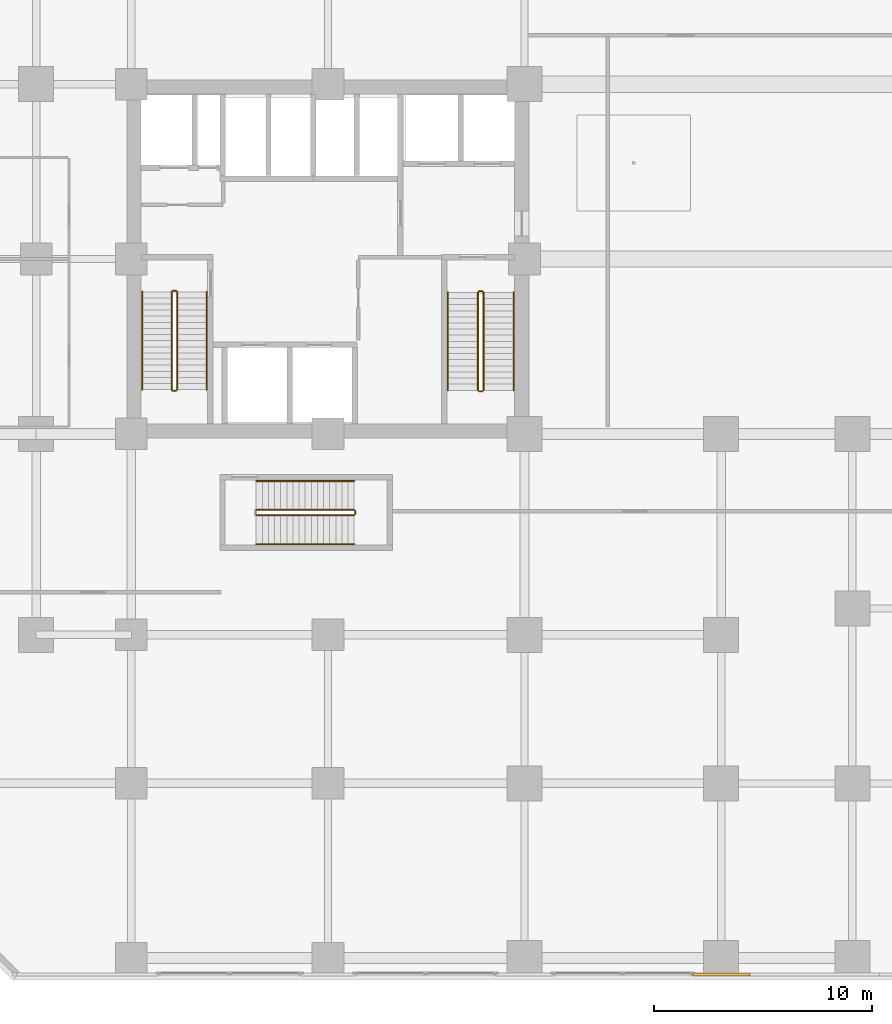
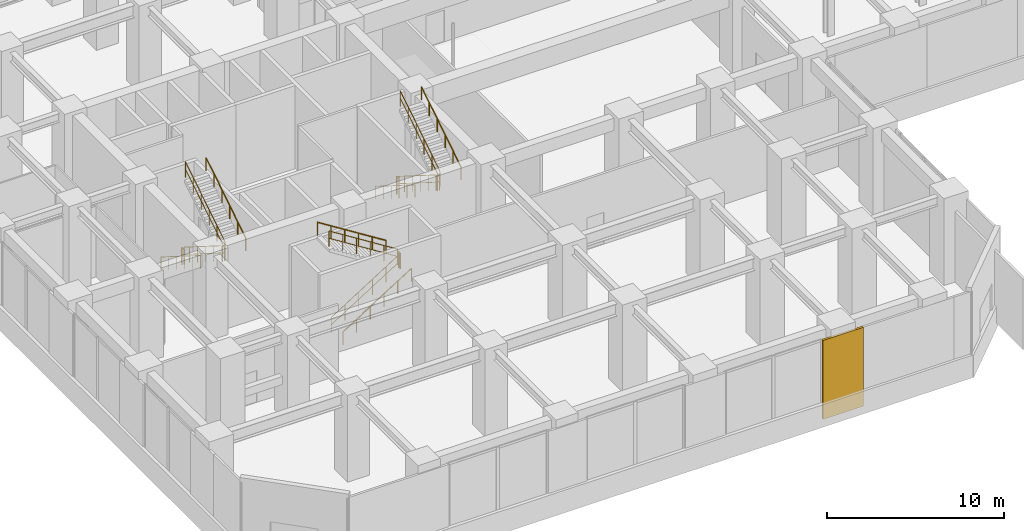
# One storey, part 30 of 34: 17 railings, 1 covering.
"""IFC4 building model written with IfcOpenShell, lengths in metres."""

import ifcopenshell
import ifcopenshell.guid

model = None  # the IFC model being written
_history = None  # IfcOwnerHistory: only IFC2X3 demands one
_inside = {}  # id of a spatial element -> (the spatial element, [elements in it])
_under = {}  # id of a project, library or spatial element -> (it, [spatial elements below it])
_declared = {}  # id of a project -> (the project, [libraries it declares])
_typed = {}  # id of a type object -> (the type object, [elements of that type])
_made_of = {}  # id of a material, layer set ... -> (it, [elements and type objects made of it])


def new_model(schema):
    """Start an empty IFC model of exactly this schema.

    Asked for "IFC4X3", IfcOpenShell would pick the latest addendum, in which some entities
    have other attributes; the version numbers below select the first issue.
    IFC2X3 requires an IfcOwnerHistory on every rooted entity: one is made here for all.
    """
    global model, _history
    if schema == "IFC4X3":
        model = ifcopenshell.file(schema_version=(4, 3, 0, 0))
    else:
        model = ifcopenshell.file(schema=schema)
    _inside.clear()
    _under.clear()
    _declared.clear()
    _typed.clear()
    _made_of.clear()
    _history = None
    if model.schema == "IFC2X3":
        org = make("IfcOrganization", Name="unknown")
        user = make(
            "IfcPersonAndOrganization",
            ThePerson=make("IfcPerson", FamilyName="unknown"),
            TheOrganization=org,
        )
        app = make(
            "IfcApplication",
            ApplicationDeveloper=org,
            Version="unknown",
            ApplicationFullName="unknown",
            ApplicationIdentifier="unknown",
        )
        _history = make(
            "IfcOwnerHistory",
            OwningUser=user,
            OwningApplication=app,
            ChangeAction="ADDED",
            CreationDate=0,
        )
    return model


def make(cls, **values):
    """One entity of the class cls with the attributes given. An attribute that is None is left unset."""
    return model.create_entity(
        cls, **{name: value for name, value in values.items() if value is not None}
    )


def rooted(cls, **values):
    """An entity with a GlobalId (a new one), such as an element, a storey or a relation."""
    return make(cls, GlobalId=ifcopenshell.guid.new(), OwnerHistory=_history, **values)


def si_unit(unit_type, name, prefix=None):
    """IfcSIUnit, for example si_unit("LENGTHUNIT", "METRE", prefix="MILLI")."""
    return make("IfcSIUnit", UnitType=unit_type, Prefix=prefix, Name=name)


def assignment(units):
    """IfcUnitAssignment: the units of a project."""
    return None if units is None else make("IfcUnitAssignment", Units=units)


def point(xyz):
    """IfcCartesianPoint."""
    return None if xyz is None else make("IfcCartesianPoint", Coordinates=xyz)


def direction(xyz):
    """IfcDirection."""
    return None if xyz is None else make("IfcDirection", DirectionRatios=xyz)


def frame(location, z_axis=None, x_axis=None):
    """IfcAxis2Placement3D, a coordinate frame: its origin and axes. An axis left out is left unset."""
    return make(
        "IfcAxis2Placement3D",
        Location=point(location),
        Axis=direction(z_axis),
        RefDirection=direction(x_axis),
    )


def frame_2d(location, x_axis=None):
    """IfcAxis2Placement2D, a coordinate frame in the plane: its origin and x axis."""
    return make(
        "IfcAxis2Placement2D", Location=point(location), RefDirection=direction(x_axis)
    )


def origin():
    """The frame at (0, 0, 0) with its axes left unset."""
    return frame((0.0, 0.0, 0.0))


def origin_2d():
    """The frame at (0, 0) in the plane with its x axis left unset."""
    return frame_2d((0.0, 0.0))


def place(relative_to, where):
    """IfcLocalPlacement: puts the frame where relative to a parent placement (None: the world)."""
    return make(
        "IfcLocalPlacement", PlacementRelTo=relative_to, RelativePlacement=where
    )


def context(
    kind, dimensions, precision=None, world=None, true_north=None, identifier=None
):
    """IfcGeometricRepresentationContext, for example the 3D "Model" context."""
    return make(
        "IfcGeometricRepresentationContext",
        ContextIdentifier=identifier,
        ContextType=kind,
        CoordinateSpaceDimension=dimensions,
        Precision=precision,
        WorldCoordinateSystem=world,
        TrueNorth=true_north,
    )


def subcontext(parent, identifier, kind, view, scale=None):
    """IfcGeometricRepresentationSubContext, for example "Body" below "Model"."""
    return make(
        "IfcGeometricRepresentationSubContext",
        ContextIdentifier=identifier,
        ContextType=kind,
        ParentContext=parent,
        TargetScale=scale,
        TargetView=view,
    )


def project(units=None, contexts=None):
    """IfcProject with its units and contexts."""
    return rooted(
        "IfcProject",
        Name="project",
        RepresentationContexts=contexts,
        UnitsInContext=assignment(units),
    )


def spatial(cls, under=None, at=None, **own):
    """A site, building, storey or space (cls), placed at a placement, below another one or the project."""
    s = rooted(cls, ObjectPlacement=at, **own)
    if under is not None:
        _under.setdefault(under.id(), (under, []))[1].append(s)
    return s


def profile(cls, at=None, kind="AREA", **sizes):
    """A parametric profile (cls). Its sizes go by their IFC names, for example OverallWidth=200.0."""
    return make(cls, ProfileType=kind, Position=at, **sizes)


def rectangle(**sizes):
    """IfcRectangleProfileDef."""
    return profile("IfcRectangleProfileDef", **sizes)


def circle(**sizes):
    """IfcCircleProfileDef."""
    return profile("IfcCircleProfileDef", **sizes)


def extrude(swept, where, along, depth):
    """IfcExtrudedAreaSolid: the profile swept, set in the frame where, extruded along a direction by depth."""
    return make(
        "IfcExtrudedAreaSolid",
        SweptArea=swept,
        Position=where,
        ExtrudedDirection=direction(along),
        Depth=depth,
    )


def shape(context_of_items, identifier, shape_type, items):
    """IfcShapeRepresentation: the items that make up one representation, for example the "Body"."""
    return make(
        "IfcShapeRepresentation",
        ContextOfItems=context_of_items,
        RepresentationIdentifier=identifier,
        RepresentationType=shape_type,
        Items=items,
    )


def source(mapping_origin, context_of_items, identifier, shape_type, items):
    """IfcRepresentationMap: a shape defined once, which mapped items show again and again."""
    return make(
        "IfcRepresentationMap",
        MappingOrigin=mapping_origin,
        MappedRepresentation=shape(context_of_items, identifier, shape_type, items),
    )


def transform(
    local_origin,
    x_axis=None,
    y_axis=None,
    z_axis=None,
    scale=None,
    scale2=None,
    scale3=None,
    uniform=True,
):
    """IfcCartesianTransformationOperator3D, or its non-uniform kind. x_axis, y_axis, z_axis: its Axis1, 2, 3."""
    if uniform:
        return make(
            "IfcCartesianTransformationOperator3D",
            Axis1=direction(x_axis),
            Axis2=direction(y_axis),
            LocalOrigin=point(local_origin),
            Scale=scale,
            Axis3=direction(z_axis),
        )
    return make(
        "IfcCartesianTransformationOperator3DnonUniform",
        Axis1=direction(x_axis),
        Axis2=direction(y_axis),
        LocalOrigin=point(local_origin),
        Scale=scale,
        Axis3=direction(z_axis),
        Scale2=scale2,
        Scale3=scale3,
    )


def mapped(mapping_source, mapping_target):
    """IfcMappedItem: shows the shape of a source again, moved by a transform."""
    return make(
        "IfcMappedItem", MappingSource=mapping_source, MappingTarget=mapping_target
    )


def material(Name=None, Category=None):
    """IfcMaterial."""
    return make("IfcMaterial", Name=Name, Category=Category)


def layer(
    of_material, thickness, ventilated=None, Name=None, Category=None, Priority=None
):
    """IfcMaterialLayer: one layer of a wall or slab, of a material (None: an air gap)."""
    return make(
        "IfcMaterialLayer",
        Material=of_material,
        LayerThickness=thickness,
        IsVentilated=ventilated,
        Name=Name,
        Category=Category,
        Priority=Priority,
    )


def layer_set(layers, Name=None):
    """IfcMaterialLayerSet."""
    return make("IfcMaterialLayerSet", MaterialLayers=layers, LayerSetName=Name)


def made_of(thing, what):
    """Note that an element or type object is made of a material, layer set ...; save() writes the relation."""
    if what is not None:
        _made_of.setdefault(what.id(), (what, []))[1].append(thing)
    return thing


def type_object(cls, material=None, **own):
    """A type object (cls), such as IfcWallType, which elements share."""
    return made_of(rooted(cls, **own), material)


def element(
    cls,
    number,
    at=None,
    inside=None,
    cuts=None,
    type_object=None,
    material=None,
    context=None,
    identifier="Body",
    shape_type=None,
    held_by="IfcProductDefinitionShape",
    body=None,
    shapes=None,
    **own,
):
    """One element of the class cls, such as IfcWall. Its Tag is "e" and its number.

    at: its placement. inside: the storey or other place that contains it. cuts: it is an
    opening in that element (IfcRelVoidsElement). A single representation is given by context,
    identifier, shape_type and body (its items); several are given by shapes. held_by: the class
    of the entity that holds the representations. save() writes the other relations.
    """
    e = rooted(cls, Tag="e%d" % number, ObjectPlacement=at, **own)
    if body is not None:
        shapes = [shape(context, identifier, shape_type, body)]
    if shapes is not None:
        e.Representation = make(held_by, Representations=shapes)
    if inside is not None:
        _inside.setdefault(inside.id(), (inside, []))[1].append(e)
    if cuts is not None:
        rooted(
            "IfcRelVoidsElement", RelatingBuildingElement=cuts, RelatedOpeningElement=e
        )
    if type_object is not None:
        _typed.setdefault(type_object.id(), (type_object, []))[1].append(e)
    return made_of(e, material)


def aggregate(whole, parts):
    """IfcRelAggregates: a whole, such as a stair, and the parts it consists of."""
    return rooted("IfcRelAggregates", RelatingObject=whole, RelatedObjects=parts)


def save(model, path):
    """Write the relations noted so far, then the file.

    IfcRelAggregates (storeys below a building ...), IfcRelContainedInSpatialStructure (elements
    in a storey), IfcRelDefinesByType, IfcRelAssociatesMaterial and IfcRelDeclares: one each for
    every whole, place, type object, material and project.
    """
    for whole, parts in _under.values():
        aggregate(whole, parts)
    for where, things in _inside.values():
        rooted(
            "IfcRelContainedInSpatialStructure",
            RelatedElements=things,
            RelatingStructure=where,
        )
    for kind, things in _typed.values():
        rooted("IfcRelDefinesByType", RelatedObjects=things, RelatingType=kind)
    for what, things in _made_of.values():
        rooted("IfcRelAssociatesMaterial", RelatedObjects=things, RelatingMaterial=what)
    for by, libraries in _declared.values():
        rooted("IfcRelDeclares", RelatingContext=by, RelatedDefinitions=libraries)
    model.write(path)


model = new_model("IFC4")

# Units and contexts
model_context = context("Model", 3, precision=1e-05, world=origin(), true_north=direction((0.0, 1.0)))
body_context = subcontext(model_context, "Body", "Model", "MODEL_VIEW")
ifc_project = project(units=[si_unit("LENGTHUNIT", "METRE"), si_unit("AREAUNIT", "SQUARE_METRE"), si_unit("VOLUMEUNIT", "CUBIC_METRE"), si_unit("PLANEANGLEUNIT", "RADIAN"), si_unit("MASSUNIT", "GRAM", prefix="KILO")], contexts=[model_context])

# Site, building, storey
site_placement = place(None, origin())
site = spatial("IfcSite", under=ifc_project, at=site_placement, CompositionType="ELEMENT")
building_placement = place(site_placement, origin())
building = spatial("IfcBuilding", under=site, at=building_placement, Name="Torre Montelarca", CompositionType="ELEMENT")
storey_placement = place(building_placement, frame((0.0, 0.0, 6.0)))
storey = spatial("IfcBuildingStorey", under=building, at=storey_placement, Name="L02", CompositionType="ELEMENT", Elevation=6.0)

# Railings
ifc_material_1 = material(Name="Powder-coated steel ASTM A500 Grade C", Category="steel")
railing_type_1 = type_object("IfcRailingType", Name="RL-GUARD-1100", PredefinedType="BALUSTRADE", material=ifc_material_1)
railing_1_placement = place(storey_placement, frame((10.85009765625, 30.5, 0.176513671875)))
element("IfcRailing", 1, at=railing_1_placement, inside=storey, type_object=railing_type_1, Name="L02 ST1 stair guard 1", PredefinedType="BALUSTRADE", context=body_context, shape_type="SweptSolid", body=[
    extrude(circle(Radius=0.02392578125, at=origin_2d()), frame((0.0, 0.0, 1.076171875), z_axis=(0.0, -0.845997938375, 0.533186166611), x_axis=(1.0, 0.0, 0.0)), (0.0, 0.0, 1.0), 5.29541015625),
    extrude(circle(Radius=0.02099609375, at=origin_2d()), frame((0.0, 0.0, 0.572021484375), z_axis=(0.0, -0.845997938375, 0.533186166611), x_axis=(1.0, 0.0, 0.0)), (0.0, 0.0, 1.0), 5.29541015625),
    extrude(circle(Radius=0.02099609375, at=origin_2d()), origin(), (0.0, 0.0, 1.0), 1.052001953125),
    extrude(circle(Radius=0.02099609375, at=origin_2d()), frame((0.0, -0.89599609375, 0.564697265625)), (0.0, 0.0, 1.0), 1.052001953125),
    extrude(circle(Radius=0.02099609375, at=origin_2d()), frame((0.0, -1.7919921875, 1.12939453125)), (0.0, 0.0, 1.0), 1.052001953125),
    extrude(circle(Radius=0.02099609375, at=origin_2d()), frame((0.0, -2.68798828125, 1.694091796875)), (0.0, 0.0, 1.0), 1.052001953125),
    extrude(circle(Radius=0.02099609375, at=origin_2d()), frame((0.0, -3.583984375, 2.2587890625)), (0.0, 0.0, 1.0), 1.052001953125),
    extrude(circle(Radius=0.02099609375, at=origin_2d()), frame((0.0, -4.47998046875, 2.823486328125)), (0.0, 0.0, 1.0), 1.052001953125),
])
railing_2_placement = place(storey_placement, frame((10.89990234375, 25.969970703125, 3.0)))
element("IfcRailing", 2, at=railing_2_placement, inside=storey, type_object=railing_type_1, Name="L02 ST1 stair guard 2", PredefinedType="BALUSTRADE", context=body_context, shape_type="SweptSolid", body=[
    extrude(circle(Radius=0.02392578125, at=origin_2d()), frame((0.0, 0.0, 1.076171875), z_axis=(1.0, 0.0, 0.0), x_axis=(0.0, 1.0, 0.0)), (0.0, 0.0, 1.0), 0.150146484375),
    extrude(circle(Radius=0.02099609375, at=origin_2d()), frame((0.0, 0.0, 0.572021484375), z_axis=(1.0, 0.0, 0.0), x_axis=(0.0, 1.0, 0.0)), (0.0, 0.0, 1.0), 0.150146484375),
    extrude(circle(Radius=0.02099609375, at=origin_2d()), origin(), (0.0, 0.0, 1.0), 1.052001953125),
    extrude(circle(Radius=0.02099609375, at=origin_2d()), frame((0.150146484375, 0.0, 0.0)), (0.0, 0.0, 1.0), 1.052001953125),
])
railing_3_placement = place(storey_placement, frame((11.10009765625, 26.02001953125, 3.176513671875)))
element("IfcRailing", 3, at=railing_3_placement, inside=storey, type_object=railing_type_1, Name="L02 ST1 stair guard 3", PredefinedType="BALUSTRADE", context=body_context, shape_type="SweptSolid", body=[
    extrude(circle(Radius=0.02392578125, at=origin_2d()), frame((0.0, 0.0, 1.076171875), z_axis=(0.0, 0.845997938375, 0.533186166611), x_axis=(-1.0, 0.0, 0.0)), (0.0, 0.0, 1.0), 5.29541015625),
    extrude(circle(Radius=0.02099609375, at=origin_2d()), frame((0.0, 0.0, 0.572021484375), z_axis=(0.0, 0.845997938375, 0.533186166611), x_axis=(-1.0, 0.0, 0.0)), (0.0, 0.0, 1.0), 5.29541015625),
    extrude(circle(Radius=0.02099609375, at=origin_2d()), origin(), (0.0, 0.0, 1.0), 1.052001953125),
    extrude(circle(Radius=0.02099609375, at=origin_2d()), frame((0.0, 0.89599609375, 0.564697265625)), (0.0, 0.0, 1.0), 1.052001953125),
    extrude(circle(Radius=0.02099609375, at=origin_2d()), frame((0.0, 1.7919921875, 1.12939453125)), (0.0, 0.0, 1.0), 1.052001953125),
    extrude(circle(Radius=0.02099609375, at=origin_2d()), frame((0.0, 2.68798828125, 1.694091796875)), (0.0, 0.0, 1.0), 1.052001953125),
    extrude(circle(Radius=0.02099609375, at=origin_2d()), frame((0.0, 3.583984375, 2.2587890625)), (0.0, 0.0, 1.0), 1.052001953125),
    extrude(circle(Radius=0.02099609375, at=origin_2d()), frame((0.0, 4.47998046875, 2.823486328125)), (0.0, 0.0, 1.0), 1.052001953125),
])
railing_4_placement = place(storey_placement, frame((10.89990234375, 30.550048828125, 0.0)))
element("IfcRailing", 4, at=railing_4_placement, inside=storey, type_object=railing_type_1, Name="L02 ST1 stair guard 4", PredefinedType="BALUSTRADE", context=body_context, shape_type="SweptSolid", body=[
    extrude(circle(Radius=0.02392578125, at=origin_2d()), frame((0.0, 0.0, 1.076171875), z_axis=(1.0, 0.0, 0.0), x_axis=(0.0, 1.0, 0.0)), (0.0, 0.0, 1.0), 0.150146484375),
    extrude(circle(Radius=0.02099609375, at=origin_2d()), frame((0.0, 0.0, 0.572021484375), z_axis=(1.0, 0.0, 0.0), x_axis=(0.0, 1.0, 0.0)), (0.0, 0.0, 1.0), 0.150146484375),
    extrude(circle(Radius=0.02099609375, at=origin_2d()), origin(), (0.0, 0.0, 1.0), 1.052001953125),
    extrude(circle(Radius=0.02099609375, at=origin_2d()), frame((0.150146484375, 0.0, 0.0)), (0.0, 0.0, 1.0), 1.052001953125),
])
railing_5_placement = place(storey_placement, frame((24.8701171875, 30.469970703125, 0.176513671875)))
element("IfcRailing", 5, at=railing_5_placement, inside=storey, type_object=railing_type_1, Name="L02 ST2 stair guard 1", PredefinedType="BALUSTRADE", context=body_context, shape_type="SweptSolid", body=[
    extrude(circle(Radius=0.02392578125, at=origin_2d()), frame((0.0, 0.0, 1.076171875), z_axis=(0.0, -0.845997938375, 0.533186166611), x_axis=(1.0, 0.0, 0.0)), (0.0, 0.0, 1.0), 5.29541015625),
    extrude(circle(Radius=0.02099609375, at=origin_2d()), frame((0.0, 0.0, 0.572021484375), z_axis=(0.0, -0.845997938375, 0.533186166611), x_axis=(1.0, 0.0, 0.0)), (0.0, 0.0, 1.0), 5.29541015625),
    extrude(circle(Radius=0.02099609375, at=origin_2d()), origin(), (0.0, 0.0, 1.0), 1.052001953125),
    extrude(circle(Radius=0.02099609375, at=origin_2d()), frame((0.0, -0.89599609375, 0.564697265625)), (0.0, 0.0, 1.0), 1.052001953125),
    extrude(circle(Radius=0.02099609375, at=origin_2d()), frame((0.0, -1.7919921875, 1.12939453125)), (0.0, 0.0, 1.0), 1.052001953125),
    extrude(circle(Radius=0.02099609375, at=origin_2d()), frame((0.0, -2.68798828125, 1.694091796875)), (0.0, 0.0, 1.0), 1.052001953125),
    extrude(circle(Radius=0.02099609375, at=origin_2d()), frame((0.0, -3.583984375, 2.2587890625)), (0.0, 0.0, 1.0), 1.052001953125),
    extrude(circle(Radius=0.02099609375, at=origin_2d()), frame((0.0, -4.47998046875, 2.823486328125)), (0.0, 0.0, 1.0), 1.052001953125),
])
railing_6_placement = place(storey_placement, frame((24.919921875, 25.93994140625, 3.0)))
element("IfcRailing", 6, at=railing_6_placement, inside=storey, type_object=railing_type_1, Name="L02 ST2 stair guard 2", PredefinedType="BALUSTRADE", context=body_context, shape_type="SweptSolid", body=[
    extrude(circle(Radius=0.02392578125, at=origin_2d()), frame((0.0, 0.0, 1.076171875), z_axis=(1.0, 0.0, 0.0), x_axis=(0.0, 1.0, 0.0)), (0.0, 0.0, 1.0), 0.150146484375),
    extrude(circle(Radius=0.02099609375, at=origin_2d()), frame((0.0, 0.0, 0.572021484375), z_axis=(1.0, 0.0, 0.0), x_axis=(0.0, 1.0, 0.0)), (0.0, 0.0, 1.0), 0.150146484375),
    extrude(circle(Radius=0.02099609375, at=origin_2d()), origin(), (0.0, 0.0, 1.0), 1.052001953125),
    extrude(circle(Radius=0.02099609375, at=origin_2d()), frame((0.150146484375, 0.0, 0.0)), (0.0, 0.0, 1.0), 1.052001953125),
])
railing_7_placement = place(storey_placement, frame((25.1201171875, 25.989990234375, 3.176513671875)))
element("IfcRailing", 7, at=railing_7_placement, inside=storey, type_object=railing_type_1, Name="L02 ST2 stair guard 3", PredefinedType="BALUSTRADE", context=body_context, shape_type="SweptSolid", body=[
    extrude(circle(Radius=0.02392578125, at=origin_2d()), frame((0.0, 0.0, 1.076171875), z_axis=(0.0, 0.845997938375, 0.533186166611), x_axis=(-1.0, 0.0, 0.0)), (0.0, 0.0, 1.0), 5.29541015625),
    extrude(circle(Radius=0.02099609375, at=origin_2d()), frame((0.0, 0.0, 0.572021484375), z_axis=(0.0, 0.845997938375, 0.533186166611), x_axis=(-1.0, 0.0, 0.0)), (0.0, 0.0, 1.0), 5.29541015625),
    extrude(circle(Radius=0.02099609375, at=origin_2d()), origin(), (0.0, 0.0, 1.0), 1.052001953125),
    extrude(circle(Radius=0.02099609375, at=origin_2d()), frame((0.0, 0.89599609375, 0.564697265625)), (0.0, 0.0, 1.0), 1.052001953125),
    extrude(circle(Radius=0.02099609375, at=origin_2d()), frame((0.0, 1.7919921875, 1.12939453125)), (0.0, 0.0, 1.0), 1.052001953125),
    extrude(circle(Radius=0.02099609375, at=origin_2d()), frame((0.0, 2.68798828125, 1.694091796875)), (0.0, 0.0, 1.0), 1.052001953125),
    extrude(circle(Radius=0.02099609375, at=origin_2d()), frame((0.0, 3.583984375, 2.2587890625)), (0.0, 0.0, 1.0), 1.052001953125),
    extrude(circle(Radius=0.02099609375, at=origin_2d()), frame((0.0, 4.47998046875, 2.823486328125)), (0.0, 0.0, 1.0), 1.052001953125),
])
railing_8_placement = place(storey_placement, frame((24.919921875, 30.52001953125, 0.0)))
element("IfcRailing", 8, at=railing_8_placement, inside=storey, type_object=railing_type_1, Name="L02 ST2 stair guard 4", PredefinedType="BALUSTRADE", context=body_context, shape_type="SweptSolid", body=[
    extrude(circle(Radius=0.02392578125, at=origin_2d()), frame((0.0, 0.0, 1.076171875), z_axis=(1.0, 0.0, 0.0), x_axis=(0.0, 1.0, 0.0)), (0.0, 0.0, 1.0), 0.150146484375),
    extrude(circle(Radius=0.02099609375, at=origin_2d()), frame((0.0, 0.0, 0.572021484375), z_axis=(1.0, 0.0, 0.0), x_axis=(0.0, 1.0, 0.0)), (0.0, 0.0, 1.0), 0.150146484375),
    extrude(circle(Radius=0.02099609375, at=origin_2d()), origin(), (0.0, 0.0, 1.0), 1.052001953125),
    extrude(circle(Radius=0.02099609375, at=origin_2d()), frame((0.150146484375, 0.0, 0.0)), (0.0, 0.0, 1.0), 1.052001953125),
])
railing_9_placement = place(storey_placement, frame((14.719970703125, 20.27001953125, 0.176513671875)))
element("IfcRailing", 9, at=railing_9_placement, inside=storey, type_object=railing_type_1, Name="L02 ST3 stair guard 1", PredefinedType="BALUSTRADE", context=body_context, shape_type="SweptSolid", body=[
    extrude(circle(Radius=0.02392578125, at=origin_2d()), frame((0.0, 0.0, 1.076171875), z_axis=(0.845997938375, 0.0, 0.533186166611), x_axis=(0.0, 1.0, 0.0)), (0.0, 0.0, 1.0), 5.29541015625),
    extrude(circle(Radius=0.02099609375, at=origin_2d()), frame((0.0, 0.0, 0.572021484375), z_axis=(0.845997938375, 0.0, 0.533186166611), x_axis=(0.0, 1.0, 0.0)), (0.0, 0.0, 1.0), 5.29541015625),
    extrude(circle(Radius=0.02099609375, at=origin_2d()), origin(), (0.0, 0.0, 1.0), 1.052001953125),
    extrude(circle(Radius=0.02099609375, at=origin_2d()), frame((0.89599609375, 0.0, 0.564697265625)), (0.0, 0.0, 1.0), 1.052001953125),
    extrude(circle(Radius=0.02099609375, at=origin_2d()), frame((1.7919921875, 0.0, 1.12939453125)), (0.0, 0.0, 1.0), 1.052001953125),
    extrude(circle(Radius=0.02099609375, at=origin_2d()), frame((2.68798828125, 0.0, 1.694091796875)), (0.0, 0.0, 1.0), 1.052001953125),
    extrude(circle(Radius=0.02099609375, at=origin_2d()), frame((3.583984375, 0.0, 2.2587890625)), (0.0, 0.0, 1.0), 1.052001953125),
    extrude(circle(Radius=0.02099609375, at=origin_2d()), frame((4.47998046875, 0.0, 2.823486328125)), (0.0, 0.0, 1.0), 1.052001953125),
])
railing_10_placement = place(storey_placement, frame((19.25, 20.320068359375, 3.0)))
element("IfcRailing", 10, at=railing_10_placement, inside=storey, type_object=railing_type_1, Name="L02 ST3 stair guard 2", PredefinedType="BALUSTRADE", context=body_context, shape_type="SweptSolid", body=[
    extrude(circle(Radius=0.02392578125, at=origin_2d()), frame((0.0, 0.0, 1.076171875), z_axis=(0.0, 1.0, 0.0), x_axis=(-1.0, 0.0, 0.0)), (0.0, 0.0, 1.0), 0.14990234375),
    extrude(circle(Radius=0.02099609375, at=origin_2d()), frame((0.0, 0.0, 0.572021484375), z_axis=(0.0, 1.0, 0.0), x_axis=(-1.0, 0.0, 0.0)), (0.0, 0.0, 1.0), 0.14990234375),
    extrude(circle(Radius=0.02099609375, at=origin_2d()), origin(), (0.0, 0.0, 1.0), 1.052001953125),
    extrude(circle(Radius=0.02099609375, at=origin_2d()), frame((0.0, 0.14990234375, 0.0)), (0.0, 0.0, 1.0), 1.052001953125),
])
railing_11_placement = place(storey_placement, frame((19.199951171875, 20.52001953125, 3.176513671875)))
element("IfcRailing", 11, at=railing_11_placement, inside=storey, type_object=railing_type_1, Name="L02 ST3 stair guard 3", PredefinedType="BALUSTRADE", context=body_context, shape_type="SweptSolid", body=[
    extrude(circle(Radius=0.02392578125, at=origin_2d()), frame((0.0, 0.0, 1.076171875), z_axis=(-0.845997938375, 0.0, 0.533186166611), x_axis=(0.0, -1.0, 0.0)), (0.0, 0.0, 1.0), 5.29541015625),
    extrude(circle(Radius=0.02099609375, at=origin_2d()), frame((0.0, 0.0, 0.572021484375), z_axis=(-0.845997938375, 0.0, 0.533186166611), x_axis=(0.0, -1.0, 0.0)), (0.0, 0.0, 1.0), 5.29541015625),
    extrude(circle(Radius=0.02099609375, at=origin_2d()), origin(), (0.0, 0.0, 1.0), 1.052001953125),
    extrude(circle(Radius=0.02099609375, at=origin_2d()), frame((-0.89599609375, 0.0, 0.564697265625)), (0.0, 0.0, 1.0), 1.052001953125),
    extrude(circle(Radius=0.02099609375, at=origin_2d()), frame((-1.7919921875, 0.0, 1.12939453125)), (0.0, 0.0, 1.0), 1.052001953125),
    extrude(circle(Radius=0.02099609375, at=origin_2d()), frame((-2.68798828125, 0.0, 1.694091796875)), (0.0, 0.0, 1.0), 1.052001953125),
    extrude(circle(Radius=0.02099609375, at=origin_2d()), frame((-3.583984375, 0.0, 2.2587890625)), (0.0, 0.0, 1.0), 1.052001953125),
    extrude(circle(Radius=0.02099609375, at=origin_2d()), frame((-4.47998046875, 0.0, 2.823486328125)), (0.0, 0.0, 1.0), 1.052001953125),
])
ifc_material_2 = material(Name="Brushed stainless steel AISI 316", Category="steel")
railing_type_2 = type_object("IfcRailingType", Name="RL-HANDRAIL-900", PredefinedType="HANDRAIL", material=ifc_material_2)
railing_12_placement = place(storey_placement, frame((9.5, 30.5, 0.176513671875)))
element("IfcRailing", 12, at=railing_12_placement, inside=storey, type_object=railing_type_2, Name="L02 ST1 stair handrail 1", PredefinedType="HANDRAIL", context=body_context, shape_type="SweptSolid", body=[
    extrude(circle(Radius=0.02392578125, at=origin_2d()), frame((0.0, 0.0, 0.8759765625), z_axis=(0.0, -0.845997938375, 0.533186166611), x_axis=(1.0, 0.0, 0.0)), (0.0, 0.0, 1.0), 5.29541015625),
    extrude(circle(Radius=0.02099609375, at=origin_2d()), origin(), (0.0, 0.0, 1.0), 0.851806640625),
    extrude(circle(Radius=0.02099609375, at=origin_2d()), frame((0.0, -0.89599609375, 0.564697265625)), (0.0, 0.0, 1.0), 0.851806640625),
    extrude(circle(Radius=0.02099609375, at=origin_2d()), frame((0.0, -1.7919921875, 1.12939453125)), (0.0, 0.0, 1.0), 0.851806640625),
    extrude(circle(Radius=0.02099609375, at=origin_2d()), frame((0.0, -2.68798828125, 1.694091796875)), (0.0, 0.0, 1.0), 0.851806640625),
    extrude(circle(Radius=0.02099609375, at=origin_2d()), frame((0.0, -3.583984375, 2.2587890625)), (0.0, 0.0, 1.0), 0.851806640625),
    extrude(circle(Radius=0.02099609375, at=origin_2d()), frame((0.0, -4.47998046875, 2.823486328125)), (0.0, 0.0, 1.0), 0.851806640625),
])
railing_13_placement = place(storey_placement, frame((12.449951171875, 26.02001953125, 3.176513671875)))
element("IfcRailing", 13, at=railing_13_placement, inside=storey, type_object=railing_type_2, Name="L02 ST1 stair handrail 2", PredefinedType="HANDRAIL", context=body_context, shape_type="SweptSolid", body=[
    extrude(circle(Radius=0.02392578125, at=origin_2d()), frame((0.0, 0.0, 0.8759765625), z_axis=(0.0, 0.845997938375, 0.533186166611), x_axis=(-1.0, 0.0, 0.0)), (0.0, 0.0, 1.0), 5.29541015625),
    extrude(circle(Radius=0.02099609375, at=origin_2d()), origin(), (0.0, 0.0, 1.0), 0.851806640625),
    extrude(circle(Radius=0.02099609375, at=origin_2d()), frame((0.0, 0.89599609375, 0.564697265625)), (0.0, 0.0, 1.0), 0.851806640625),
    extrude(circle(Radius=0.02099609375, at=origin_2d()), frame((0.0, 1.7919921875, 1.12939453125)), (0.0, 0.0, 1.0), 0.851806640625),
    extrude(circle(Radius=0.02099609375, at=origin_2d()), frame((0.0, 2.68798828125, 1.694091796875)), (0.0, 0.0, 1.0), 0.851806640625),
    extrude(circle(Radius=0.02099609375, at=origin_2d()), frame((0.0, 3.583984375, 2.2587890625)), (0.0, 0.0, 1.0), 0.851806640625),
    extrude(circle(Radius=0.02099609375, at=origin_2d()), frame((0.0, 4.47998046875, 2.823486328125)), (0.0, 0.0, 1.0), 0.851806640625),
])
railing_14_placement = place(storey_placement, frame((23.489990234375, 30.469970703125, 0.176513671875)))
element("IfcRailing", 14, at=railing_14_placement, inside=storey, type_object=railing_type_2, Name="L02 ST2 stair handrail 1", PredefinedType="HANDRAIL", context=body_context, shape_type="SweptSolid", body=[
    extrude(circle(Radius=0.02392578125, at=origin_2d()), frame((0.0, 0.0, 0.8759765625), z_axis=(0.0, -0.845997938375, 0.533186166611), x_axis=(1.0, 0.0, 0.0)), (0.0, 0.0, 1.0), 5.29541015625),
    extrude(circle(Radius=0.02099609375, at=origin_2d()), origin(), (0.0, 0.0, 1.0), 0.851806640625),
    extrude(circle(Radius=0.02099609375, at=origin_2d()), frame((0.0, -0.89599609375, 0.564697265625)), (0.0, 0.0, 1.0), 0.851806640625),
    extrude(circle(Radius=0.02099609375, at=origin_2d()), frame((0.0, -1.7919921875, 1.12939453125)), (0.0, 0.0, 1.0), 0.851806640625),
    extrude(circle(Radius=0.02099609375, at=origin_2d()), frame((0.0, -2.68798828125, 1.694091796875)), (0.0, 0.0, 1.0), 0.851806640625),
    extrude(circle(Radius=0.02099609375, at=origin_2d()), frame((0.0, -3.583984375, 2.2587890625)), (0.0, 0.0, 1.0), 0.851806640625),
    extrude(circle(Radius=0.02099609375, at=origin_2d()), frame((0.0, -4.47998046875, 2.823486328125)), (0.0, 0.0, 1.0), 0.851806640625),
])
railing_15_placement = place(storey_placement, frame((26.5, 25.989990234375, 3.176513671875)))
element("IfcRailing", 15, at=railing_15_placement, inside=storey, type_object=railing_type_2, Name="L02 ST2 stair handrail 2", PredefinedType="HANDRAIL", context=body_context, shape_type="SweptSolid", body=[
    extrude(circle(Radius=0.02392578125, at=origin_2d()), frame((0.0, 0.0, 0.8759765625), z_axis=(0.0, 0.845997938375, 0.533186166611), x_axis=(-1.0, 0.0, 0.0)), (0.0, 0.0, 1.0), 5.29541015625),
    extrude(circle(Radius=0.02099609375, at=origin_2d()), origin(), (0.0, 0.0, 1.0), 0.851806640625),
    extrude(circle(Radius=0.02099609375, at=origin_2d()), frame((0.0, 0.89599609375, 0.564697265625)), (0.0, 0.0, 1.0), 0.851806640625),
    extrude(circle(Radius=0.02099609375, at=origin_2d()), frame((0.0, 1.7919921875, 1.12939453125)), (0.0, 0.0, 1.0), 0.851806640625),
    extrude(circle(Radius=0.02099609375, at=origin_2d()), frame((0.0, 2.68798828125, 1.694091796875)), (0.0, 0.0, 1.0), 0.851806640625),
    extrude(circle(Radius=0.02099609375, at=origin_2d()), frame((0.0, 3.583984375, 2.2587890625)), (0.0, 0.0, 1.0), 0.851806640625),
    extrude(circle(Radius=0.02099609375, at=origin_2d()), frame((0.0, 4.47998046875, 2.823486328125)), (0.0, 0.0, 1.0), 0.851806640625),
])
railing_16_placement = place(storey_placement, frame((14.719970703125, 18.949951171875, 0.176513671875)))
element("IfcRailing", 16, at=railing_16_placement, inside=storey, type_object=railing_type_2, Name="L02 ST3 stair handrail 1", PredefinedType="HANDRAIL", context=body_context, shape_type="SweptSolid", body=[
    extrude(circle(Radius=0.02392578125, at=origin_2d()), frame((0.0, 0.0, 0.8759765625), z_axis=(0.845997938375, 0.0, 0.533186166611), x_axis=(0.0, 1.0, 0.0)), (0.0, 0.0, 1.0), 5.29541015625),
    extrude(circle(Radius=0.02099609375, at=origin_2d()), origin(), (0.0, 0.0, 1.0), 0.851806640625),
    extrude(circle(Radius=0.02099609375, at=origin_2d()), frame((0.89599609375, 0.0, 0.564697265625)), (0.0, 0.0, 1.0), 0.851806640625),
    extrude(circle(Radius=0.02099609375, at=origin_2d()), frame((1.7919921875, 0.0, 1.12939453125)), (0.0, 0.0, 1.0), 0.851806640625),
    extrude(circle(Radius=0.02099609375, at=origin_2d()), frame((2.68798828125, 0.0, 1.694091796875)), (0.0, 0.0, 1.0), 0.851806640625),
    extrude(circle(Radius=0.02099609375, at=origin_2d()), frame((3.583984375, 0.0, 2.2587890625)), (0.0, 0.0, 1.0), 0.851806640625),
    extrude(circle(Radius=0.02099609375, at=origin_2d()), frame((4.47998046875, 0.0, 2.823486328125)), (0.0, 0.0, 1.0), 0.851806640625),
])
railing_17_placement = place(storey_placement, frame((19.199951171875, 21.840087890625, 3.176513671875)))
element("IfcRailing", 17, at=railing_17_placement, inside=storey, type_object=railing_type_2, Name="L02 ST3 stair handrail 2", PredefinedType="HANDRAIL", context=body_context, shape_type="SweptSolid", body=[
    extrude(circle(Radius=0.02392578125, at=origin_2d()), frame((0.0, 0.0, 0.8759765625), z_axis=(-0.845997938375, 0.0, 0.533186166611), x_axis=(0.0, -1.0, 0.0)), (0.0, 0.0, 1.0), 5.29541015625),
    extrude(circle(Radius=0.02099609375, at=origin_2d()), origin(), (0.0, 0.0, 1.0), 0.851806640625),
    extrude(circle(Radius=0.02099609375, at=origin_2d()), frame((-0.89599609375, 0.0, 0.564697265625)), (0.0, 0.0, 1.0), 0.851806640625),
    extrude(circle(Radius=0.02099609375, at=origin_2d()), frame((-1.7919921875, 0.0, 1.12939453125)), (0.0, 0.0, 1.0), 0.851806640625),
    extrude(circle(Radius=0.02099609375, at=origin_2d()), frame((-2.68798828125, 0.0, 1.694091796875)), (0.0, 0.0, 1.0), 0.851806640625),
    extrude(circle(Radius=0.02099609375, at=origin_2d()), frame((-3.583984375, 0.0, 2.2587890625)), (0.0, 0.0, 1.0), 0.851806640625),
    extrude(circle(Radius=0.02099609375, at=origin_2d()), frame((-4.47998046875, 0.0, 2.823486328125)), (0.0, 0.0, 1.0), 0.851806640625),
])

# Covering
ifc_material_3 = material(Name="Bush-hammered warm white precast concrete C45/55", Category="concrete")
ifc_layer = layer(ifc_material_3, 0.139892578125, Name="Bush-hammered warm white precast concrete C45/55", Category="concrete")
ifc_layer_set = layer_set([ifc_layer], Name="Bush-hammered warm white precast concrete C45/55")
covering_type = type_object("IfcCoveringType", Name="COV-TRAY-CLAD", PredefinedType="CLADDING", material=ifc_layer_set)
shared_shape = source(origin(), body_context, "Body", "SweptSolid", [
    extrude(rectangle(XDim=2.639892578125, YDim=0.139892578125, at=origin_2d()), origin(), (0.0, 0.0, 1.0), 5.449951171875),
])
covering_placement = place(storey_placement, frame((36.0, -0.739990234375, 0.0), z_axis=(0.0, 0.0, 1.0), x_axis=(1.0, 0.0, 0.0)))
element("IfcCovering", 18, at=covering_placement, inside=storey, type_object=covering_type, Name="L02 Architectural Column Pier Cladding E01-5", PredefinedType="CLADDING", context=body_context, shape_type="MappedRepresentation", body=[
    mapped(shared_shape, transform((0.0, 0.0, 0.0), scale=1.0)),
])

save(model, "model.ifc")
